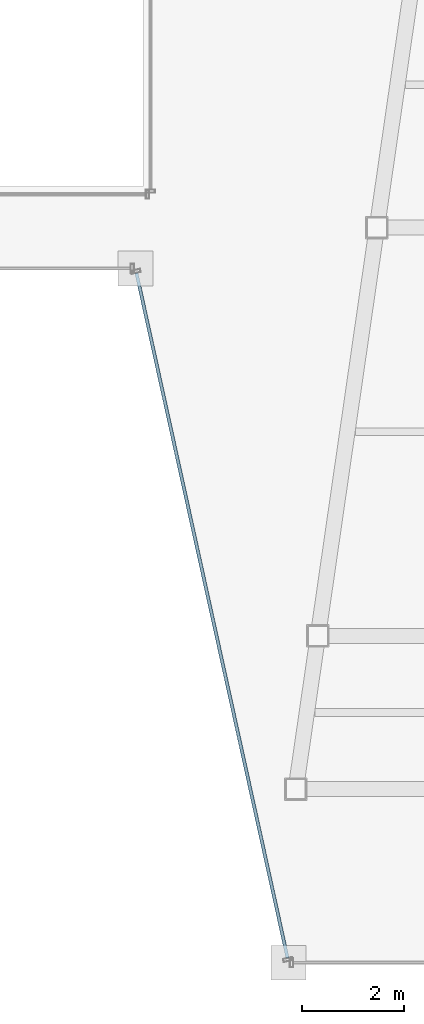
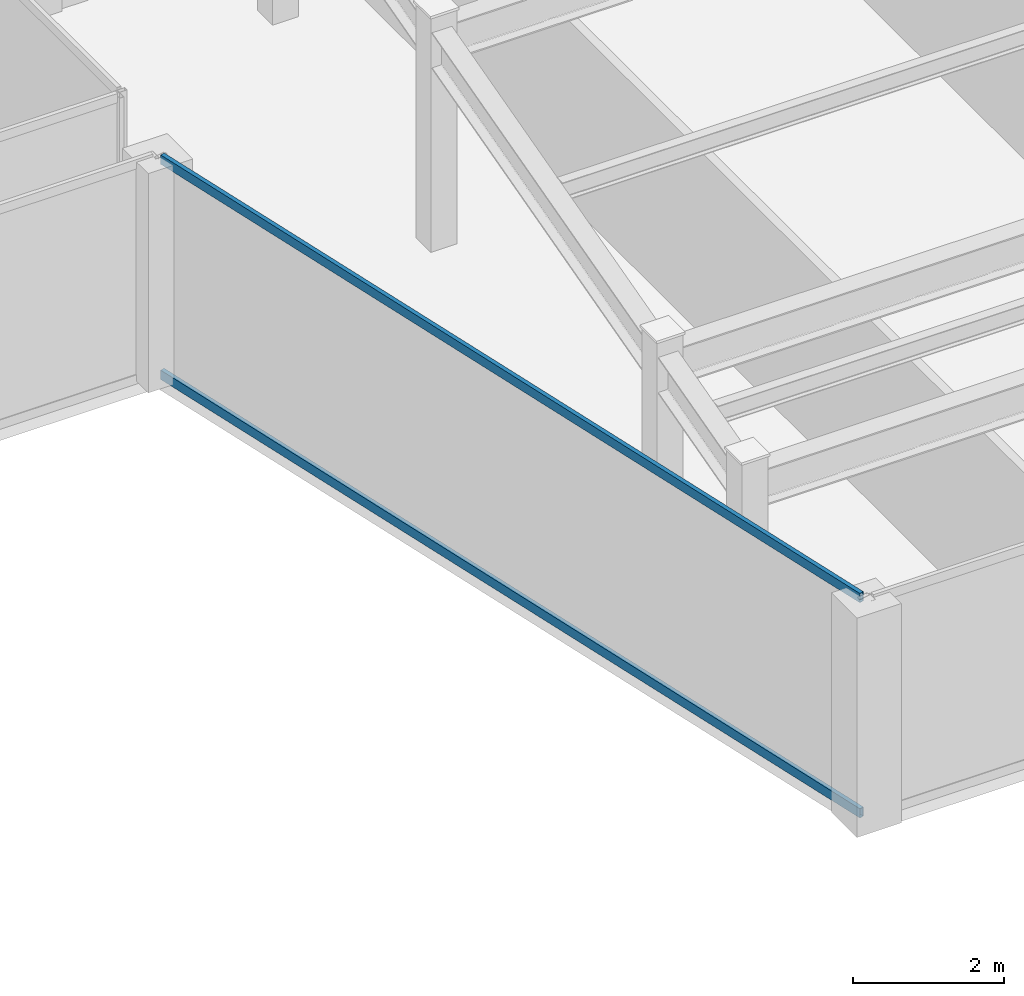
# One storey, part 13 of 33: 2 members, 1 element without a shape of its own.
"""IFC4 building model written with IfcOpenShell, lengths in metres."""

from ifc_helpers import new_model, si_unit, direction, frame, origin, origin_2d, place, context, subcontext, project, spatial, hollow_rectangle, extrude, material, material_profile, profile_set, type_object, element, aggregate, save


model = new_model("IFC4")

# Units and contexts
model_context = context("Model", 3, precision=1e-05, world=origin(), true_north=direction((0.0, 1.0)))
body_context = subcontext(model_context, "Body", "Model", "MODEL_VIEW")
ifc_project = project(units=[si_unit("LENGTHUNIT", "METRE"), si_unit("AREAUNIT", "SQUARE_METRE"), si_unit("VOLUMEUNIT", "CUBIC_METRE"), si_unit("PLANEANGLEUNIT", "RADIAN"), si_unit("MASSUNIT", "GRAM", prefix="KILO")], contexts=[model_context])

# Site, building, storey
site_placement = place(None, origin())
site = spatial("IfcSite", under=ifc_project, at=site_placement, CompositionType="ELEMENT")
building_placement = place(site_placement, origin())
building = spatial("IfcBuilding", under=site, at=building_placement, Name="Saevonmaru Cultural Tower", CompositionType="ELEMENT")
storey_placement = place(building_placement, frame((0.0, 0.0, 234.39990234375)))
storey = spatial("IfcBuildingStorey", under=building, at=storey_placement, Name="L54", CompositionType="ELEMENT", Elevation=234.39990234375)

# Curtain wall, members
ifc_material = material(Name="Satin Bronze Anodised Aluminium", Category="aluminium")
curtain_wall_type = type_object("IfcCurtainWallType", Name="CW-TYP-B", PredefinedType="NOTDEFINED", material=ifc_material)
curtain_wall_placement = place(storey_placement, origin())
curtain_wall = element("IfcCurtainWall", 1, at=curtain_wall_placement, inside=storey, type_object=curtain_wall_type, Name="L54 Unitised Curtain Wall E5", PredefinedType="NOTDEFINED")
ifc_material_profile = material_profile(ifc_material, hollow_rectangle(XDim=0.06494140625, YDim=0.14990234375, WallThickness=0.00390625, at=origin_2d()), Name="ALU-TRAN-150x65x4")
ifc_profile_set = profile_set([ifc_material_profile], Name="Satin Bronze Anodised Aluminium")
member_type = type_object("IfcMemberType", Name="TR-CW-150x65", PredefinedType="USERDEFINED", material=ifc_profile_set)
member_1_placement = place(storey_placement, frame((35.673095703125, 31.109619140625, 0.03271484375), z_axis=(0.215415884539, -0.976522399481, 0.0), x_axis=(0.976522399481, 0.215415884539, 0.0)))
member_1 = element("IfcMember", 2, at=member_1_placement, type_object=member_type, Name="CW-TW-L54-E5 transom 1.1", ObjectType="TRANSOM", PredefinedType="USERDEFINED", context=body_context, shape_type="SweptSolid", body=[
    extrude(hollow_rectangle(XDim=0.06494140625, YDim=0.14990234375, WallThickness=0.00390625, at=origin_2d()), origin(), (0.0, 0.0, 1.0), 13.74169921875),
])
member_2_placement = place(storey_placement, frame((35.673095703125, 31.109619140625, 3.517578125), z_axis=(0.215415884539, -0.976522399481, 0.0), x_axis=(0.976522399481, 0.215415884539, 0.0)))
member_2 = element("IfcMember", 3, at=member_2_placement, type_object=member_type, Name="CW-TW-L54-E5 transom 1.2", ObjectType="TRANSOM", PredefinedType="USERDEFINED", context=body_context, shape_type="SweptSolid", body=[
    extrude(hollow_rectangle(XDim=0.06494140625, YDim=0.14990234375, WallThickness=0.00390625, at=origin_2d()), origin(), (0.0, 0.0, 1.0), 13.74169921875),
])
aggregate(curtain_wall, [member_1, member_2])

save(model, "model.ifc")
